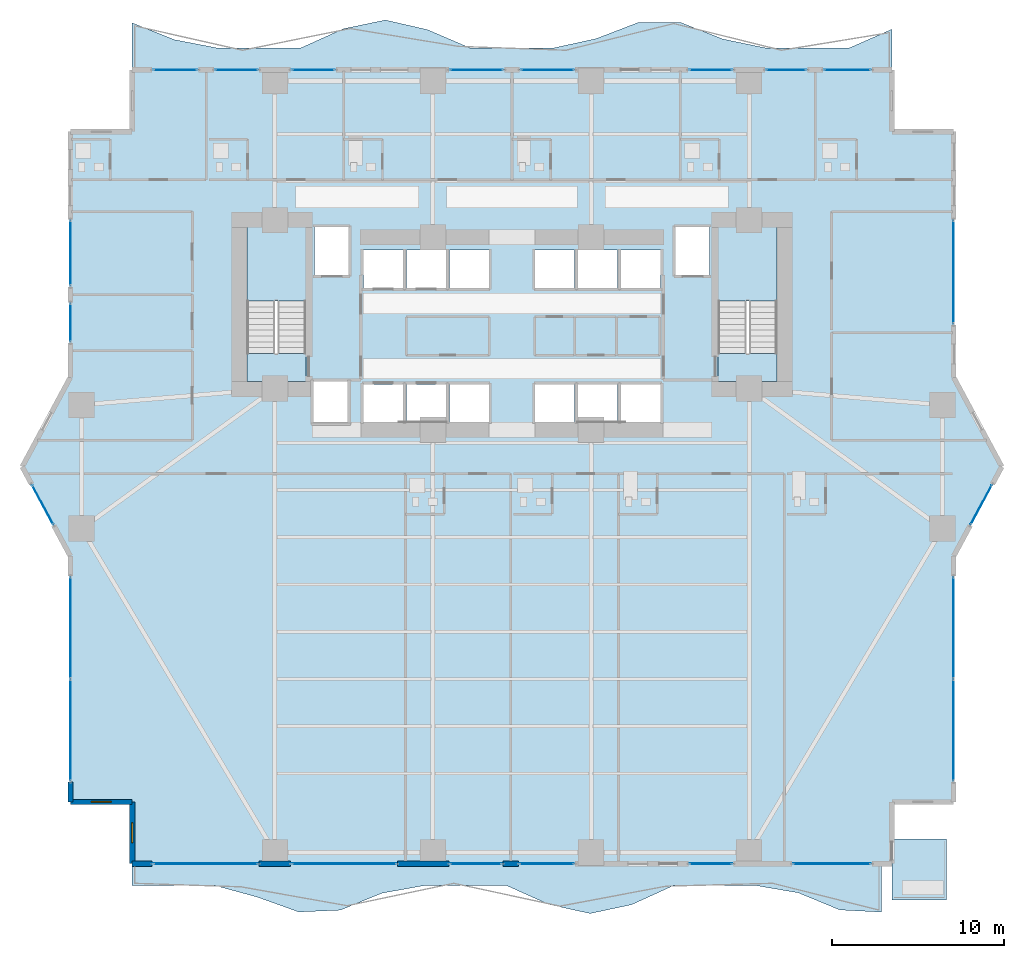
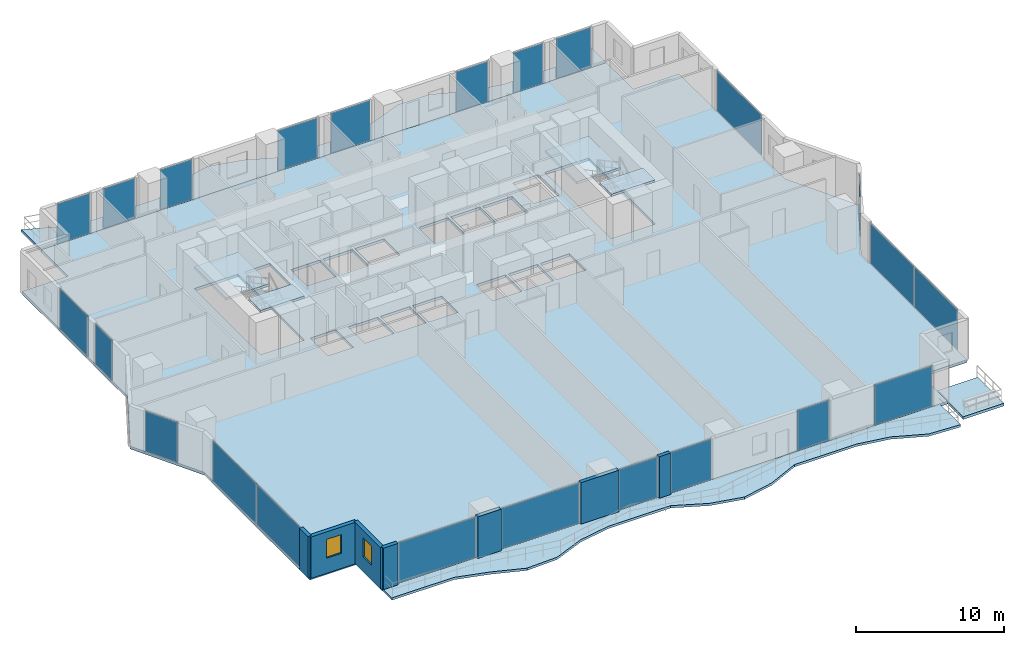
# One storey, part 18 of 30: 23 plates, 8 slabs, 7 walls, 2 windows, 2 openings, 23 elements without a shape of their own.
"""IFC4 building model written with IfcOpenShell, lengths in metres."""

from ifc_helpers import new_model, si_unit, direction, frame, frame_2d, origin, origin_2d, place, context, subcontext, project, spatial, polyline, rectangle, outline, extrude, material, layer, layer_set, type_object, element, fill, aggregate, save


model = new_model("IFC4")

# Units and contexts
model_context = context("Model", 3, precision=1e-05, world=origin(), true_north=direction((0.0, 1.0)))
body_context = subcontext(model_context, "Body", "Model", "MODEL_VIEW")
ifc_project = project(units=[si_unit("LENGTHUNIT", "METRE"), si_unit("AREAUNIT", "SQUARE_METRE"), si_unit("VOLUMEUNIT", "CUBIC_METRE"), si_unit("PLANEANGLEUNIT", "RADIAN"), si_unit("MASSUNIT", "GRAM", prefix="KILO")], contexts=[model_context])

# Site, building, storey
site_placement = place(None, origin())
site = spatial("IfcSite", under=ifc_project, at=site_placement, CompositionType="ELEMENT")
building_placement = place(site_placement, origin())
building = spatial("IfcBuilding", under=site, at=building_placement, Name="Zuhayl Quay Hotel", CompositionType="ELEMENT")
storey_placement = place(building_placement, frame((0.0, 0.0, 82.35009765625)))
storey = spatial("IfcBuildingStorey", under=building, at=storey_placement, Name="L20", CompositionType="ELEMENT", Elevation=82.35009765625)

# Curtain wall, plates
ifc_material_1 = material(Name="Anodised Aluminium 6063-T6", Category="aluminium")
ifc_layer_1 = layer(ifc_material_1, 0.18994140625, Name="Anodised Aluminium 6063-T6", Category="aluminium")
ifc_layer_set_1 = layer_set([ifc_layer_1], Name="Anodised Aluminium 6063-T6")
curtain_wall_type = type_object("IfcCurtainWallType", Name="CW_SYS_Z1", PredefinedType="USERDEFINED", material=ifc_layer_set_1)
curtain_wall_1_placement = place(storey_placement, origin())
curtain_wall_1 = element("IfcCurtainWall", 1, at=curtain_wall_1_placement, inside=storey, type_object=curtain_wall_type, Name="L20 Curtain Wall ENV_L20_E02_CW1", ObjectType="UNITISED CURTAIN WALL", PredefinedType="USERDEFINED")
ifc_material_2 = material(Name="Dark Ceramic-Fritted Solar Glass", Category="glass")
ifc_layer_2 = layer(ifc_material_2, 0.035888671875, Name="Dark Ceramic-Fritted Solar Glass", Category="glass")
ifc_layer_set_2 = layer_set([ifc_layer_2], Name="Dark Ceramic-Fritted Solar Glass")
plate_type = type_object("IfcPlateType", Name="PN_DARK_FRIT_Z1", PredefinedType="CURTAIN_PANEL", material=ifc_layer_set_2)
plate_1_placement = place(storey_placement, frame((-25.699951171875, -15.331298828125, 0.059814453125), z_axis=(0.0, 0.0, 1.0), x_axis=(0.0, 1.0, 0.0)))
plate_1 = element("IfcPlate", 2, at=plate_1_placement, type_object=plate_type, Name="CW-Z1 panel 1.1", PredefinedType="CURTAIN_PANEL", context=body_context, shape_type="SweptSolid", body=[
    extrude(rectangle(XDim=5.887451171875, YDim=0.035888671875, at=origin_2d()), origin(), (0.0, 0.0, 1.0), 3.31005859375),
])
plate_2_placement = place(storey_placement, frame((-25.699951171875, -9.36865234375, 0.059814453125), z_axis=(0.0, 0.0, 1.0), x_axis=(0.0, 1.0, 0.0)))
plate_2 = element("IfcPlate", 3, at=plate_2_placement, type_object=plate_type, Name="CW-Z1 panel 2.1", PredefinedType="CURTAIN_PANEL", context=body_context, shape_type="SweptSolid", body=[
    extrude(rectangle(XDim=5.887451171875, YDim=0.035888671875, at=origin_2d()), origin(), (0.0, 0.0, 1.0), 3.31005859375),
])
aggregate(curtain_wall_1, [plate_1, plate_2])

# Curtain wall, plate
curtain_wall_2_placement = place(storey_placement, origin())
curtain_wall_2 = element("IfcCurtainWall", 4, at=curtain_wall_2_placement, inside=storey, type_object=curtain_wall_type, Name="L20 Curtain Wall ENV_L20_E03_CW1", ObjectType="UNITISED CURTAIN WALL", PredefinedType="USERDEFINED")
plate_3_placement = place(storey_placement, frame((-27.306396484375, -2.216796875, 0.059814453125), z_axis=(0.0, 0.0, 1.0), x_axis=(-0.474091102632, 0.880475795468, 0.0)))
plate_3 = element("IfcPlate", 5, at=plate_3_placement, type_object=plate_type, Name="CW-Z1 panel 1.1", PredefinedType="CURTAIN_PANEL", context=body_context, shape_type="SweptSolid", body=[
    extrude(rectangle(XDim=2.58544921875, YDim=0.035888671875, at=origin_2d()), origin(), (0.0, 0.0, 1.0), 3.31005859375),
])
aggregate(curtain_wall_2, [plate_3])

curtain_wall_3_placement = place(storey_placement, origin())
curtain_wall_3 = element("IfcCurtainWall", 6, at=curtain_wall_3_placement, inside=storey, type_object=curtain_wall_type, Name="L20 Curtain Wall ENV_L20_E05_CW1", ObjectType="UNITISED CURTAIN WALL", PredefinedType="USERDEFINED")
plate_4_placement = place(storey_placement, frame((-25.699951171875, 8.385009765625, 0.059814453125), z_axis=(0.0, 0.0, 1.0), x_axis=(0.0, 1.0, 0.0)))
plate_4 = element("IfcPlate", 7, at=plate_4_placement, type_object=plate_type, Name="CW-Z1 panel 1.1", PredefinedType="CURTAIN_PANEL", context=body_context, shape_type="SweptSolid", body=[
    extrude(rectangle(XDim=2.219970703125, YDim=0.035888671875, at=origin_2d()), origin(), (0.0, 0.0, 1.0), 3.31005859375),
])
aggregate(curtain_wall_3, [plate_4])

curtain_wall_4_placement = place(storey_placement, origin())
curtain_wall_4 = element("IfcCurtainWall", 8, at=curtain_wall_4_placement, inside=storey, type_object=curtain_wall_type, Name="L20 Curtain Wall ENV_L20_E05_CW2", ObjectType="UNITISED CURTAIN WALL", PredefinedType="USERDEFINED")
plate_5_placement = place(storey_placement, frame((-25.699951171875, 12.43505859375, 0.059814453125), z_axis=(0.0, 0.0, 1.0), x_axis=(0.0, 1.0, 0.0)))
plate_5 = element("IfcPlate", 9, at=plate_5_placement, type_object=plate_type, Name="CW-Z1 panel 1.1", PredefinedType="CURTAIN_PANEL", context=body_context, shape_type="SweptSolid", body=[
    extrude(rectangle(XDim=3.780029296875, YDim=0.035888671875, at=origin_2d()), origin(), (0.0, 0.0, 1.0), 3.31005859375),
])
aggregate(curtain_wall_4, [plate_5])

curtain_wall_5_placement = place(storey_placement, origin())
curtain_wall_5 = element("IfcCurtainWall", 10, at=curtain_wall_5_placement, inside=storey, type_object=curtain_wall_type, Name="L20 Curtain Wall ENV_L20_N_CW1", ObjectType="UNITISED CURTAIN WALL", PredefinedType="USERDEFINED")
plate_6_placement = place(storey_placement, frame((-19.60009765625, 23.10009765625, 0.059814453125), z_axis=(0.0, 0.0, 1.0), x_axis=(1.0, 0.0, 0.0)))
plate_6 = element("IfcPlate", 11, at=plate_6_placement, type_object=plate_type, Name="CW-Z1 panel 1.1", PredefinedType="CURTAIN_PANEL", context=body_context, shape_type="SweptSolid", body=[
    extrude(rectangle(XDim=2.550048828125, YDim=0.035888671875, at=origin_2d()), origin(), (0.0, 0.0, 1.0), 3.31005859375),
])
aggregate(curtain_wall_5, [plate_6])

curtain_wall_6_placement = place(storey_placement, origin())
curtain_wall_6 = element("IfcCurtainWall", 12, at=curtain_wall_6_placement, inside=storey, type_object=curtain_wall_type, Name="L20 Curtain Wall ENV_L20_N_CW2", ObjectType="UNITISED CURTAIN WALL", PredefinedType="USERDEFINED")
plate_7_placement = place(storey_placement, frame((-16.034912109375, 23.10009765625, 0.059814453125), z_axis=(0.0, 0.0, 1.0), x_axis=(1.0, 0.0, 0.0)))
plate_7 = element("IfcPlate", 13, at=plate_7_placement, type_object=plate_type, Name="CW-Z1 panel 1.1", PredefinedType="CURTAIN_PANEL", context=body_context, shape_type="SweptSolid", body=[
    extrude(rectangle(XDim=2.47998046875, YDim=0.035888671875, at=origin_2d()), origin(), (0.0, 0.0, 1.0), 3.31005859375),
])
aggregate(curtain_wall_6, [plate_7])

curtain_wall_7_placement = place(storey_placement, origin())
curtain_wall_7 = element("IfcCurtainWall", 14, at=curtain_wall_7_placement, inside=storey, type_object=curtain_wall_type, Name="L20 Curtain Wall ENV_L20_N_CW3", ObjectType="UNITISED CURTAIN WALL", PredefinedType="USERDEFINED")
plate_8_placement = place(storey_placement, frame((-11.56494140625, 23.10009765625, 0.059814453125), z_axis=(0.0, 0.0, 1.0), x_axis=(1.0, 0.0, 0.0)))
plate_8 = element("IfcPlate", 15, at=plate_8_placement, type_object=plate_type, Name="CW-Z1 panel 1.1", PredefinedType="CURTAIN_PANEL", context=body_context, shape_type="SweptSolid", body=[
    extrude(rectangle(XDim=2.47998046875, YDim=0.035888671875, at=origin_2d()), origin(), (0.0, 0.0, 1.0), 3.31005859375),
])
aggregate(curtain_wall_7, [plate_8])

curtain_wall_8_placement = place(storey_placement, origin())
curtain_wall_8 = element("IfcCurtainWall", 16, at=curtain_wall_8_placement, inside=storey, type_object=curtain_wall_type, Name="L20 Curtain Wall ENV_L20_N_CW4", ObjectType="UNITISED CURTAIN WALL", PredefinedType="USERDEFINED")
plate_9_placement = place(storey_placement, frame((-2.06494140625, 23.10009765625, 0.059814453125), z_axis=(0.0, 0.0, 1.0), x_axis=(1.0, 0.0, 0.0)))
plate_9 = element("IfcPlate", 17, at=plate_9_placement, type_object=plate_type, Name="CW-Z1 panel 1.1", PredefinedType="CURTAIN_PANEL", context=body_context, shape_type="SweptSolid", body=[
    extrude(rectangle(XDim=3.080078125, YDim=0.035888671875, at=origin_2d()), origin(), (0.0, 0.0, 1.0), 3.31005859375),
])
aggregate(curtain_wall_8, [plate_9])

curtain_wall_9_placement = place(storey_placement, origin())
curtain_wall_9 = element("IfcCurtainWall", 18, at=curtain_wall_9_placement, inside=storey, type_object=curtain_wall_type, Name="L20 Curtain Wall ENV_L20_N_CW5", ObjectType="UNITISED CURTAIN WALL", PredefinedType="USERDEFINED")
plate_10_placement = place(storey_placement, frame((2.06494140625, 23.10009765625, 0.059814453125), z_axis=(0.0, 0.0, 1.0), x_axis=(1.0, 0.0, 0.0)))
plate_10 = element("IfcPlate", 19, at=plate_10_placement, type_object=plate_type, Name="CW-Z1 panel 1.1", PredefinedType="CURTAIN_PANEL", context=body_context, shape_type="SweptSolid", body=[
    extrude(rectangle(XDim=3.080078125, YDim=0.035888671875, at=origin_2d()), origin(), (0.0, 0.0, 1.0), 3.31005859375),
])
aggregate(curtain_wall_9, [plate_10])

curtain_wall_10_placement = place(storey_placement, origin())
curtain_wall_10 = element("IfcCurtainWall", 20, at=curtain_wall_10_placement, inside=storey, type_object=curtain_wall_type, Name="L20 Curtain Wall ENV_L20_N_CW6", ObjectType="UNITISED CURTAIN WALL", PredefinedType="USERDEFINED")
plate_11_placement = place(storey_placement, frame((11.56494140625, 23.10009765625, 0.059814453125), z_axis=(0.0, 0.0, 1.0), x_axis=(1.0, 0.0, 0.0)))
plate_11 = element("IfcPlate", 21, at=plate_11_placement, type_object=plate_type, Name="CW-Z1 panel 1.1", PredefinedType="CURTAIN_PANEL", context=body_context, shape_type="SweptSolid", body=[
    extrude(rectangle(XDim=2.47998046875, YDim=0.035888671875, at=origin_2d()), origin(), (0.0, 0.0, 1.0), 3.31005859375),
])
aggregate(curtain_wall_10, [plate_11])

curtain_wall_11_placement = place(storey_placement, origin())
curtain_wall_11 = element("IfcCurtainWall", 22, at=curtain_wall_11_placement, inside=storey, type_object=curtain_wall_type, Name="L20 Curtain Wall ENV_L20_N_CW7", ObjectType="UNITISED CURTAIN WALL", PredefinedType="USERDEFINED")
plate_12_placement = place(storey_placement, frame((15.955078125, 23.10009765625, 0.059814453125), z_axis=(0.0, 0.0, 1.0), x_axis=(1.0, 0.0, 0.0)))
plate_12 = element("IfcPlate", 23, at=plate_12_placement, type_object=plate_type, Name="CW-Z1 panel 1.1", PredefinedType="CURTAIN_PANEL", context=body_context, shape_type="SweptSolid", body=[
    extrude(rectangle(XDim=2.320068359375, YDim=0.035888671875, at=origin_2d()), origin(), (0.0, 0.0, 1.0), 3.31005859375),
])
aggregate(curtain_wall_11, [plate_12])

curtain_wall_12_placement = place(storey_placement, origin())
curtain_wall_12 = element("IfcCurtainWall", 24, at=curtain_wall_12_placement, inside=storey, type_object=curtain_wall_type, Name="L20 Curtain Wall ENV_L20_N_CW8", ObjectType="UNITISED CURTAIN WALL", PredefinedType="USERDEFINED")
plate_13_placement = place(storey_placement, frame((19.52001953125, 23.10009765625, 0.059814453125), z_axis=(0.0, 0.0, 1.0), x_axis=(1.0, 0.0, 0.0)))
plate_13 = element("IfcPlate", 25, at=plate_13_placement, type_object=plate_type, Name="CW-Z1 panel 1.1", PredefinedType="CURTAIN_PANEL", context=body_context, shape_type="SweptSolid", body=[
    extrude(rectangle(XDim=2.7099609375, YDim=0.035888671875, at=origin_2d()), origin(), (0.0, 0.0, 1.0), 3.31005859375),
])
aggregate(curtain_wall_12, [plate_13])

curtain_wall_13_placement = place(storey_placement, origin())
curtain_wall_13 = element("IfcCurtainWall", 26, at=curtain_wall_13_placement, inside=storey, type_object=curtain_wall_type, Name="L20 Curtain Wall ENV_L20_E11_CW1", ObjectType="UNITISED CURTAIN WALL", PredefinedType="USERDEFINED")
plate_14_placement = place(storey_placement, frame((25.699951171875, 11.324951171875, 0.059814453125), z_axis=(0.0, 0.0, 1.0), x_axis=(0.0, -1.0, 0.0)))
plate_14 = element("IfcPlate", 27, at=plate_14_placement, type_object=plate_type, Name="CW-Z1 panel 1.1", PredefinedType="CURTAIN_PANEL", context=body_context, shape_type="SweptSolid", body=[
    extrude(rectangle(XDim=6.0, YDim=0.035888671875, at=origin_2d()), origin(), (0.0, 0.0, 1.0), 3.31005859375),
])
aggregate(curtain_wall_13, [plate_14])

curtain_wall_14_placement = place(storey_placement, origin())
curtain_wall_14 = element("IfcCurtainWall", 28, at=curtain_wall_14_placement, inside=storey, type_object=curtain_wall_type, Name="L20 Curtain Wall ENV_L20_E13_CW1", ObjectType="UNITISED CURTAIN WALL", PredefinedType="USERDEFINED")
plate_15_placement = place(storey_placement, frame((27.306396484375, -2.216796875, 0.059814453125), z_axis=(0.0, 0.0, 1.0), x_axis=(-0.474091102632, -0.880475795468, 0.0)))
plate_15 = element("IfcPlate", 29, at=plate_15_placement, type_object=plate_type, Name="CW-Z1 panel 1.1", PredefinedType="CURTAIN_PANEL", context=body_context, shape_type="SweptSolid", body=[
    extrude(rectangle(XDim=2.58544921875, YDim=0.035888671875, at=origin_2d()), origin(), (0.0, 0.0, 1.0), 3.31005859375),
])
aggregate(curtain_wall_14, [plate_15])

# Curtain wall, plates
curtain_wall_15_placement = place(storey_placement, origin())
curtain_wall_15 = element("IfcCurtainWall", 30, at=curtain_wall_15_placement, inside=storey, type_object=curtain_wall_type, Name="L20 Curtain Wall ENV_L20_E14_CW1", ObjectType="UNITISED CURTAIN WALL", PredefinedType="USERDEFINED")
plate_16_placement = place(storey_placement, frame((25.699951171875, -9.36865234375, 0.059814453125), z_axis=(0.0, 0.0, 1.0), x_axis=(0.0, -1.0, 0.0)))
plate_16 = element("IfcPlate", 31, at=plate_16_placement, type_object=plate_type, Name="CW-Z1 panel 1.1", PredefinedType="CURTAIN_PANEL", context=body_context, shape_type="SweptSolid", body=[
    extrude(rectangle(XDim=5.887451171875, YDim=0.035888671875, at=origin_2d()), origin(), (0.0, 0.0, 1.0), 3.31005859375),
])
plate_17_placement = place(storey_placement, frame((25.699951171875, -15.331298828125, 0.059814453125), z_axis=(0.0, 0.0, 1.0), x_axis=(0.0, -1.0, 0.0)))
plate_17 = element("IfcPlate", 32, at=plate_17_placement, type_object=plate_type, Name="CW-Z1 panel 2.1", PredefinedType="CURTAIN_PANEL", context=body_context, shape_type="SweptSolid", body=[
    extrude(rectangle(XDim=5.887451171875, YDim=0.035888671875, at=origin_2d()), origin(), (0.0, 0.0, 1.0), 3.31005859375),
])
aggregate(curtain_wall_15, [plate_16, plate_17])

# Curtain wall, plate
curtain_wall_16_placement = place(storey_placement, origin())
curtain_wall_16 = element("IfcCurtainWall", 33, at=curtain_wall_16_placement, inside=storey, type_object=curtain_wall_type, Name="L20 Curtain Wall ENV_L20_S_CW1", ObjectType="UNITISED CURTAIN WALL", PredefinedType="USERDEFINED")
plate_18_placement = place(storey_placement, frame((18.6201171875, -23.10009765625, 0.059814453125), z_axis=(0.0, 0.0, 1.0), x_axis=(-1.0, 0.0, 0.0)))
plate_18 = element("IfcPlate", 34, at=plate_18_placement, type_object=plate_type, Name="CW-Z1 panel 1.1", PredefinedType="CURTAIN_PANEL", context=body_context, shape_type="SweptSolid", body=[
    extrude(rectangle(XDim=4.510009765625, YDim=0.035888671875, at=origin_2d()), origin(), (0.0, 0.0, 1.0), 3.31005859375),
])
aggregate(curtain_wall_16, [plate_18])

curtain_wall_17_placement = place(storey_placement, origin())
curtain_wall_17 = element("IfcCurtainWall", 35, at=curtain_wall_17_placement, inside=storey, type_object=curtain_wall_type, Name="L20 Curtain Wall ENV_L20_S_CW2", ObjectType="UNITISED CURTAIN WALL", PredefinedType="USERDEFINED")
plate_19_placement = place(storey_placement, frame((11.573486328125, -23.10009765625, 0.059814453125), z_axis=(0.0, 0.0, 1.0), x_axis=(-1.0, 0.0, 0.0)))
plate_19 = element("IfcPlate", 36, at=plate_19_placement, type_object=plate_type, Name="CW-Z1 panel 1.1", PredefinedType="CURTAIN_PANEL", context=body_context, shape_type="SweptSolid", body=[
    extrude(rectangle(XDim=2.462890625, YDim=0.035888671875, at=origin_2d()), origin(), (0.0, 0.0, 1.0), 3.31005859375),
])
aggregate(curtain_wall_17, [plate_19])

curtain_wall_18_placement = place(storey_placement, origin())
curtain_wall_18 = element("IfcCurtainWall", 37, at=curtain_wall_18_placement, inside=storey, type_object=curtain_wall_type, Name="L20 Curtain Wall ENV_L20_S_CW3", ObjectType="UNITISED CURTAIN WALL", PredefinedType="USERDEFINED")
plate_20_placement = place(storey_placement, frame((2.02490234375, -23.10009765625, 0.059814453125), z_axis=(0.0, 0.0, 1.0), x_axis=(-1.0, 0.0, 0.0)))
plate_20 = element("IfcPlate", 38, at=plate_20_placement, type_object=plate_type, Name="CW-Z1 panel 1.1", PredefinedType="CURTAIN_PANEL", context=body_context, shape_type="SweptSolid", body=[
    extrude(rectangle(XDim=3.159912109375, YDim=0.035888671875, at=origin_2d()), origin(), (0.0, 0.0, 1.0), 3.31005859375),
])
aggregate(curtain_wall_18, [plate_20])

curtain_wall_19_placement = place(storey_placement, origin())
curtain_wall_19 = element("IfcCurtainWall", 39, at=curtain_wall_19_placement, inside=storey, type_object=curtain_wall_type, Name="L20 Curtain Wall ENV_L20_S_CW4", ObjectType="UNITISED CURTAIN WALL", PredefinedType="USERDEFINED")
plate_21_placement = place(storey_placement, frame((-2.10498046875, -23.10009765625, 0.059814453125), z_axis=(0.0, 0.0, 1.0), x_axis=(-1.0, 0.0, 0.0)))
plate_21 = element("IfcPlate", 40, at=plate_21_placement, type_object=plate_type, Name="CW-Z1 panel 1.1", PredefinedType="CURTAIN_PANEL", context=body_context, shape_type="SweptSolid", body=[
    extrude(rectangle(XDim=3.0, YDim=0.035888671875, at=origin_2d()), origin(), (0.0, 0.0, 1.0), 3.31005859375),
])
aggregate(curtain_wall_19, [plate_21])

curtain_wall_20_placement = place(storey_placement, origin())
curtain_wall_20 = element("IfcCurtainWall", 41, at=curtain_wall_20_placement, inside=storey, type_object=curtain_wall_type, Name="L20 Curtain Wall ENV_L20_S_CW5", ObjectType="UNITISED CURTAIN WALL", PredefinedType="USERDEFINED")
plate_22_placement = place(storey_placement, frame((-9.764892578125, -23.10009765625, 0.059814453125), z_axis=(0.0, 0.0, 1.0), x_axis=(-1.0, 0.0, 0.0)))
plate_22 = element("IfcPlate", 42, at=plate_22_placement, type_object=plate_type, Name="CW-Z1 panel 1.1", PredefinedType="CURTAIN_PANEL", context=body_context, shape_type="SweptSolid", body=[
    extrude(rectangle(XDim=6.080078125, YDim=0.035888671875, at=origin_2d()), origin(), (0.0, 0.0, 1.0), 3.31005859375),
])
aggregate(curtain_wall_20, [plate_22])

curtain_wall_21_placement = place(storey_placement, origin())
curtain_wall_21 = element("IfcCurtainWall", 43, at=curtain_wall_21_placement, inside=storey, type_object=curtain_wall_type, Name="L20 Curtain Wall ENV_L20_S_CW6", ObjectType="UNITISED CURTAIN WALL", PredefinedType="USERDEFINED")
plate_23_placement = place(storey_placement, frame((-17.8349609375, -23.10009765625, 0.059814453125), z_axis=(0.0, 0.0, 1.0), x_axis=(-1.0, 0.0, 0.0)))
plate_23 = element("IfcPlate", 44, at=plate_23_placement, type_object=plate_type, Name="CW-Z1 panel 1.1", PredefinedType="CURTAIN_PANEL", context=body_context, shape_type="SweptSolid", body=[
    extrude(rectangle(XDim=6.080078125, YDim=0.035888671875, at=origin_2d()), origin(), (0.0, 0.0, 1.0), 3.31005859375),
])
aggregate(curtain_wall_21, [plate_23])

# Slabs
ifc_material_3 = material(Name="Concrete C45/55", Category="concrete")
ifc_layer_3 = layer(ifc_material_3, 0.195068359375, Name="Concrete C45/55", Category="concrete")
ifc_layer_set_3 = layer_set([ifc_layer_3], Name="Concrete C45/55")
slab_type_1 = type_object("IfcSlabType", Name="SL_BALCONY_195", PredefinedType="FLOOR", material=ifc_layer_set_3)
slab_1_placement = place(storey_placement, frame((0.0, 0.0, -0.195068359375)))
element("IfcSlab", 45, at=slab_1_placement, inside=storey, type_object=slab_type_1, Name="L20 Exterior Rippling Balcony Slab North", PredefinedType="FLOOR", context=body_context, shape_type="SweptSolid", body=[
    extrude(outline(polyline([(-22.10009765625, 23.10009765625), (22.10009765625, 23.10009765625), (22.10009765625, 25.4580078125), (19.644287109375, 24.3798828125), (17.18896484375, 24.3798828125), (14.7333984375, 24.3798828125), (12.27783203125, 24.8916015625), (9.822265625, 25.85107421875), (7.36669921875, 25.86376953125), (4.9111328125, 24.918701171875), (2.45556640625, 24.3798828125), (0.0, 24.3798828125), (-2.45556640625, 24.3798828125), (-4.9111328125, 25.435302734375), (-7.36669921875, 25.99951171875), (-9.822265625, 25.489013671875), (-12.27783203125, 24.3798828125), (-14.7333984375, 24.3798828125), (-17.18896484375, 24.3798828125), (-19.644287109375, 24.853515625), (-22.10009765625, 25.83251953125), (-22.10009765625, 23.10009765625)])), origin(), (0.0, 0.0, 1.0), 0.195068359375),
])
slab_2_placement = place(storey_placement, frame((0.0, 0.0, -0.195068359375)))
element("IfcSlab", 46, at=slab_2_placement, inside=storey, type_object=slab_type_1, Name="L20 Exterior Rippling Balcony Slab South", PredefinedType="FLOOR", context=body_context, shape_type="SweptSolid", body=[
    extrude(outline(polyline([(-22.10009765625, -24.3798828125), (-19.677734375, -24.3798828125), (-17.255615234375, -24.3798828125), (-14.833251953125, -25.041748046875), (-12.4111328125, -25.908935546875), (-9.989013671875, -25.80419921875), (-7.566650390625, -24.8154296875), (-5.144287109375, -24.3798828125), (-2.72216796875, -24.3798828125), (-0.300048828125, -24.3798828125), (2.122314453125, -25.467041015625), (4.54443359375, -26.0), (6.966796875, -25.484619140625), (9.388916015625, -24.3798828125), (11.81103515625, -24.3798828125), (14.2333984375, -24.3798828125), (16.655517578125, -24.793701171875), (19.077880859375, -25.79248046875), (21.5, -25.9169921875), (21.5, -23.10009765625), (-22.10009765625, -23.10009765625), (-22.10009765625, -24.3798828125)])), origin(), (0.0, 0.0, 1.0), 0.195068359375),
])
ifc_layer_4 = layer(ifc_material_3, 0.219970703125, Name="Concrete C45/55", Category="concrete")
ifc_layer_set_4 = layer_set([ifc_layer_4], Name="Concrete C45/55")
slab_type_2 = type_object("IfcSlabType", Name="SL_FLOOR_220", PredefinedType="FLOOR", material=ifc_layer_set_4)
slab_3_placement = place(storey_placement, frame((0.0, 0.0, -0.22021484375)))
element("IfcSlab", 47, at=slab_3_placement, inside=storey, type_object=slab_type_2, Name="L20 Structural Floor Slab", PredefinedType="FLOOR", context=body_context, shape_type="SweptSolid", body=[
    extrude(outline(polyline([(-22.10009765625, -23.10009765625), (22.10009765625, -23.10009765625), (22.10009765625, -19.5), (25.699951171875, -19.5), (25.699951171875, -5.199951171875), (28.5, 0.0), (25.699951171875, 5.199951171875), (25.699951171875, 19.5), (22.10009765625, 19.5), (22.10009765625, 23.10009765625), (-22.10009765625, 23.10009765625), (-22.10009765625, 19.5), (-25.699951171875, 19.5), (-25.699951171875, 5.199951171875), (-28.5, 0.0), (-25.699951171875, -5.199951171875), (-25.699951171875, -19.5), (-22.10009765625, -19.5), (-22.10009765625, -23.10009765625)]), holes=[polyline([(-12.0, 4.949951171875), (-12.0, 13.949951171875), (-15.429931640625, 13.949951171875), (-15.429931640625, 4.949951171875), (-12.0, 4.949951171875)]), polyline([(15.429931640625, 4.949951171875), (15.429931640625, 13.949951171875), (12.0, 13.949951171875), (12.0, 4.949951171875), (15.429931640625, 4.949951171875)]), polyline([(-11.5, 11.14990234375), (-9.5, 11.14990234375), (-9.5, 13.949951171875), (-11.5, 13.949951171875), (-11.5, 11.14990234375)]), polyline([(9.5, 11.14990234375), (11.5, 11.14990234375), (11.5, 13.949951171875), (9.5, 13.949951171875), (9.5, 11.14990234375)]), polyline([(-8.64990234375, 2.60009765625), (-6.35009765625, 2.60009765625), (-6.35009765625, 4.800048828125), (-8.64990234375, 4.800048828125), (-8.64990234375, 2.60009765625)]), polyline([(-6.14990234375, 2.60009765625), (-3.85009765625, 2.60009765625), (-3.85009765625, 4.800048828125), (-6.14990234375, 4.800048828125), (-6.14990234375, 2.60009765625)]), polyline([(-8.64990234375, 10.39990234375), (-6.35009765625, 10.39990234375), (-6.35009765625, 12.60009765625), (-8.64990234375, 12.60009765625), (-8.64990234375, 10.39990234375)]), polyline([(-6.14990234375, 10.39990234375), (-3.85009765625, 10.39990234375), (-3.85009765625, 12.60009765625), (-6.14990234375, 12.60009765625), (-6.14990234375, 10.39990234375)]), polyline([(-3.64990234375, 2.60009765625), (-1.35009765625, 2.60009765625), (-1.35009765625, 4.800048828125), (-3.64990234375, 4.800048828125), (-3.64990234375, 2.60009765625)]), polyline([(1.35009765625, 2.60009765625), (3.64990234375, 2.60009765625), (3.64990234375, 4.800048828125), (1.35009765625, 4.800048828125), (1.35009765625, 2.60009765625)]), polyline([(-3.64990234375, 10.39990234375), (-1.35009765625, 10.39990234375), (-1.35009765625, 12.60009765625), (-3.64990234375, 12.60009765625), (-3.64990234375, 10.39990234375)]), polyline([(1.35009765625, 10.39990234375), (3.64990234375, 10.39990234375), (3.64990234375, 12.60009765625), (1.35009765625, 12.60009765625), (1.35009765625, 10.39990234375)]), polyline([(3.85009765625, 2.60009765625), (6.14990234375, 2.60009765625), (6.14990234375, 4.800048828125), (3.85009765625, 4.800048828125), (3.85009765625, 2.60009765625)]), polyline([(6.35009765625, 2.60009765625), (8.64990234375, 2.60009765625), (8.64990234375, 4.800048828125), (6.35009765625, 4.800048828125), (6.35009765625, 2.60009765625)]), polyline([(3.85009765625, 10.39990234375), (6.14990234375, 10.39990234375), (6.14990234375, 12.60009765625), (3.85009765625, 12.60009765625), (3.85009765625, 10.39990234375)]), polyline([(6.35009765625, 10.39990234375), (8.64990234375, 10.39990234375), (8.64990234375, 12.60009765625), (6.35009765625, 12.60009765625), (6.35009765625, 10.39990234375)]), polyline([(-11.550048828125, 2.550048828125), (-9.550048828125, 2.550048828125), (-9.550048828125, 4.949951171875), (-11.550048828125, 4.949951171875), (-11.550048828125, 2.550048828125)])]), origin(), (0.0, 0.0, 1.0), 0.22021484375),
])

# Stair, slabs
stair_type = type_object("IfcStairType", Name="ST_DOGLEG_TOWER", PredefinedType="HALF_TURN_STAIR", material=ifc_material_3)
stair_1_placement = place(storey_placement, origin())
stair_1 = element("IfcStair", 48, at=stair_1_placement, inside=storey, type_object=stair_type, Name="L20 Smokeproof Exit Stair ST1", PredefinedType="HALF_TURN_STAIR")
ifc_layer_5 = layer(ifc_material_3, 0.199951171875, Name="Concrete C45/55", Category="concrete")
ifc_layer_set_5 = layer_set([ifc_layer_5], Name="Concrete C45/55")
slab_type_3 = type_object("IfcSlabType", Name="SL_STAIR_LANDING_200", PredefinedType="LANDING", material=ifc_layer_set_5)
slab_4_placement = place(storey_placement, frame((0.0, 0.0, 1.625)))
slab_4 = element("IfcSlab", 49, at=slab_4_placement, type_object=slab_type_3, Name="ST1 landing 1", PredefinedType="LANDING", context=body_context, shape_type="SweptSolid", body=[
    extrude(outline(polyline([(-12.0, 9.64990234375), (-12.0, 13.949951171875), (-15.429931640625, 13.949951171875), (-15.429931640625, 9.64990234375), (-12.0, 9.64990234375)])), origin(), (0.0, 0.0, 1.0), 0.199951171875),
])
slab_5_placement = place(storey_placement, frame((0.0, 0.0, 3.449951171875)))
slab_5 = element("IfcSlab", 50, at=slab_5_placement, type_object=slab_type_3, Name="ST1 landing 2", PredefinedType="LANDING", context=body_context, shape_type="SweptSolid", body=[
    extrude(outline(polyline([(-12.0, 4.949951171875), (-12.0, 6.590087890625), (-15.429931640625, 6.590087890625), (-15.429931640625, 4.949951171875), (-12.0, 4.949951171875)])), origin(), (0.0, 0.0, 1.0), 0.199951171875),
])
aggregate(stair_1, [slab_4, slab_5])

stair_2_placement = place(storey_placement, origin())
stair_2 = element("IfcStair", 51, at=stair_2_placement, inside=storey, type_object=stair_type, Name="L20 Smokeproof Exit Stair ST2", PredefinedType="HALF_TURN_STAIR")
slab_6_placement = place(storey_placement, frame((0.0, 0.0, 1.625)))
slab_6 = element("IfcSlab", 52, at=slab_6_placement, type_object=slab_type_3, Name="ST2 landing 1", PredefinedType="LANDING", context=body_context, shape_type="SweptSolid", body=[
    extrude(outline(polyline([(15.429931640625, 9.64990234375), (15.429931640625, 13.949951171875), (12.0, 13.949951171875), (12.0, 9.64990234375), (15.429931640625, 9.64990234375)])), origin(), (0.0, 0.0, 1.0), 0.199951171875),
])
slab_7_placement = place(storey_placement, frame((0.0, 0.0, 3.449951171875)))
slab_7 = element("IfcSlab", 53, at=slab_7_placement, type_object=slab_type_3, Name="ST2 landing 2", PredefinedType="LANDING", context=body_context, shape_type="SweptSolid", body=[
    extrude(outline(polyline([(15.429931640625, 4.949951171875), (15.429931640625, 6.590087890625), (12.0, 6.590087890625), (12.0, 4.949951171875), (15.429931640625, 4.949951171875)])), origin(), (0.0, 0.0, 1.0), 0.199951171875),
])
aggregate(stair_2, [slab_6, slab_7])

# Slab
ifc_layer_6 = layer(ifc_material_3, 0.219970703125, Name="Concrete C45/55", Category="concrete")
ifc_layer_set_6 = layer_set([ifc_layer_6], Name="Concrete C45/55")
slab_type_4 = type_object("IfcSlabType", Name="SL_TERRACE_235", PredefinedType="FLOOR", material=ifc_layer_set_6)
slab_8_placement = place(storey_placement, frame((0.0, 0.0, -0.22021484375)))
element("IfcSlab", 54, at=slab_8_placement, inside=storey, type_object=slab_type_4, Name="L20 Exterior Sky-Terrace Slab L20_SPIRAL_SE", PredefinedType="FLOOR", context=body_context, shape_type="SweptSolid", body=[
    extrude(outline(polyline([(22.10009765625, -25.199951171875), (25.300048828125, -25.199951171875), (25.300048828125, -21.64990234375), (22.10009765625, -21.64990234375), (22.10009765625, -25.199951171875)])), origin(), (0.0, 0.0, 1.0), 0.22021484375),
])

# Wall, opening, window
ifc_material_4 = material(Name="Precast concrete C45/55", Category="concrete")
ifc_layer_7 = layer(ifc_material_4, 0.300048828125, Name="Precast concrete C45/55", Category="concrete")
ifc_layer_set_7 = layer_set([ifc_layer_7], Name="Precast concrete C45/55")
wall_type = type_object("IfcWallType", Name="WL_EXT_300", PredefinedType="STANDARD", material=ifc_layer_set_7)
wall_1_placement = place(storey_placement, frame((-22.10009765625, -19.5, 0.0), z_axis=(0.0, 0.0, 1.0), x_axis=(-1.0, 0.0, 0.0)))
wall_1 = element("IfcWall", 55, at=wall_1_placement, inside=storey, type_object=wall_type, Name="L20 Exterior Precast Wall ENV_L20_EW01", PredefinedType="STANDARD", context=body_context, shape_type="SweptSolid", body=[
    extrude(rectangle(XDim=3.599853515625, YDim=0.300048828125, at=frame_2d((1.7998046875, 0.0))), origin(), (0.0, 0.0, 1.0), 3.429931640625),
])
opening_1_placement = place(wall_1_placement, frame((1.22509765625, 0.0, 1.25)))
opening_1 = element("IfcOpeningElement", 56, at=opening_1_placement, cuts=wall_1, Name="Opening W01N", PredefinedType="OPENING", context=body_context, shape_type="SweptSolid", body=[
    extrude(rectangle(XDim=1.14990234375, YDim=1.550048828125, at=frame_2d((0.574951171875, 0.77490234375))), frame((0.0, 0.159912109375, 0.0), z_axis=(0.0, -1.0, 0.0), x_axis=(1.0, 0.0, 0.0)), (0.0, 0.0, 1.0), 0.320068359375),
])
window_type = type_object("IfcWindowType", Name="WN_NOTCH_1350", PartitioningType="SINGLE_PANEL", PredefinedType="WINDOW", material=ifc_material_2)
window_1_placement = place(opening_1_placement, origin())
window_1 = element("IfcWindow", 57, at=window_1_placement, inside=storey, type_object=window_type, Name="L20 Corner Notch Window 1", OverallHeight=1.550048828125, OverallWidth=1.14990234375, PartitioningType="SINGLE_PANEL", PredefinedType="WINDOW", context=body_context, shape_type="SweptSolid", body=[
    extrude(rectangle(XDim=1.14990234375, YDim=1.550048828125, at=frame_2d((0.574951171875, 0.77490234375))), frame((0.0, 0.030029296875, 0.0), z_axis=(0.0, -1.0, 0.0), x_axis=(1.0, 0.0, 0.0)), (0.0, 0.0, 1.0), 0.06005859375),
])
fill(opening_1, window_1)

# Walls
wall_2_placement = place(storey_placement, frame((-25.699951171875, -19.5, 0.0), z_axis=(0.0, 0.0, 1.0), x_axis=(0.0, 1.0, 0.0)))
element("IfcWall", 58, at=wall_2_placement, inside=storey, type_object=wall_type, Name="L20 Exterior Precast Wall ENV_L20_E02_EW1", PredefinedType="STANDARD", context=body_context, shape_type="SweptSolid", body=[
    extrude(rectangle(XDim=1.14990234375, YDim=0.300048828125, at=frame_2d((0.574951171875, 0.0))), origin(), (0.0, 0.0, 1.0), 3.429931640625),
])
wall_3_placement = place(storey_placement, frame((0.3701171875, -23.10009765625, 0.0), z_axis=(0.0, 0.0, 1.0), x_axis=(-1.0, 0.0, 0.0)))
element("IfcWall", 59, at=wall_3_placement, inside=storey, type_object=wall_type, Name="L20 Exterior Precast Wall ENV_L20_S_EW4", PredefinedType="STANDARD", context=body_context, shape_type="SweptSolid", body=[
    extrude(rectangle(XDim=0.900146484375, YDim=0.300048828125, at=frame_2d((0.4501953125, 0.0))), origin(), (0.0, 0.0, 1.0), 3.429931640625),
])
wall_4_placement = place(storey_placement, frame((-3.679931640625, -23.10009765625, 0.0), z_axis=(0.0, 0.0, 1.0), x_axis=(-1.0, 0.0, 0.0)))
element("IfcWall", 60, at=wall_4_placement, inside=storey, type_object=wall_type, Name="L20 Exterior Precast Wall ENV_L20_S_EW5", PredefinedType="STANDARD", context=body_context, shape_type="SweptSolid", body=[
    extrude(rectangle(XDim=2.969970703125, YDim=0.300048828125, at=frame_2d((1.48486328125, 0.0))), origin(), (0.0, 0.0, 1.0), 3.429931640625),
])
wall_5_placement = place(storey_placement, frame((-12.8798828125, -23.10009765625, 0.0), z_axis=(0.0, 0.0, 1.0), x_axis=(-1.0, 0.0, 0.0)))
element("IfcWall", 61, at=wall_5_placement, inside=storey, type_object=wall_type, Name="L20 Exterior Precast Wall ENV_L20_S_EW6", PredefinedType="STANDARD", context=body_context, shape_type="SweptSolid", body=[
    extrude(rectangle(XDim=1.840087890625, YDim=0.300048828125, at=frame_2d((0.919921875, 0.0))), origin(), (0.0, 0.0, 1.0), 3.429931640625),
])
wall_6_placement = place(storey_placement, frame((-20.949951171875, -23.10009765625, 0.0), z_axis=(0.0, 0.0, 1.0), x_axis=(-1.0, 0.0, 0.0)))
element("IfcWall", 62, at=wall_6_placement, inside=storey, type_object=wall_type, Name="L20 Exterior Precast Wall ENV_L20_S_EW7", PredefinedType="STANDARD", context=body_context, shape_type="SweptSolid", body=[
    extrude(rectangle(XDim=1.150146484375, YDim=0.300048828125, at=frame_2d((0.5751953125, 0.0))), origin(), (0.0, 0.0, 1.0), 3.429931640625),
])

# Wall, opening, window
wall_7_placement = place(storey_placement, frame((-22.10009765625, -23.10009765625, 0.0), z_axis=(0.0, 0.0, 1.0), x_axis=(0.0, 1.0, 0.0)))
wall_7 = element("IfcWall", 63, at=wall_7_placement, inside=storey, type_object=wall_type, Name="L20 Exterior Precast Wall ENV_L20_EW18", PredefinedType="STANDARD", context=body_context, shape_type="SweptSolid", body=[
    extrude(rectangle(XDim=3.60009765625, YDim=0.300048828125, at=frame_2d((1.800048828125, 0.0))), origin(), (0.0, 0.0, 1.0), 3.429931640625),
])
opening_2_placement = place(wall_7_placement, frame((1.22509765625, 0.0, 1.25)))
opening_2 = element("IfcOpeningElement", 64, at=opening_2_placement, cuts=wall_7, Name="Opening W01N", PredefinedType="OPENING", context=body_context, shape_type="SweptSolid", body=[
    extrude(rectangle(XDim=1.14990234375, YDim=1.550048828125, at=frame_2d((0.574951171875, 0.77490234375))), frame((0.0, 0.159912109375, 0.0), z_axis=(0.0, -1.0, 0.0), x_axis=(1.0, 0.0, 0.0)), (0.0, 0.0, 1.0), 0.320068359375),
])
window_2_placement = place(opening_2_placement, origin())
window_2 = element("IfcWindow", 65, at=window_2_placement, inside=storey, type_object=window_type, Name="L20 Corner Notch Window 18", OverallHeight=1.550048828125, OverallWidth=1.14990234375, PartitioningType="SINGLE_PANEL", PredefinedType="WINDOW", context=body_context, shape_type="SweptSolid", body=[
    extrude(rectangle(XDim=1.14990234375, YDim=1.550048828125, at=frame_2d((0.574951171875, 0.77490234375))), frame((0.0, 0.030029296875, 0.0), z_axis=(0.0, -1.0, 0.0), x_axis=(1.0, 0.0, 0.0)), (0.0, 0.0, 1.0), 0.06005859375),
])
fill(opening_2, window_2)

save(model, "model.ifc")
